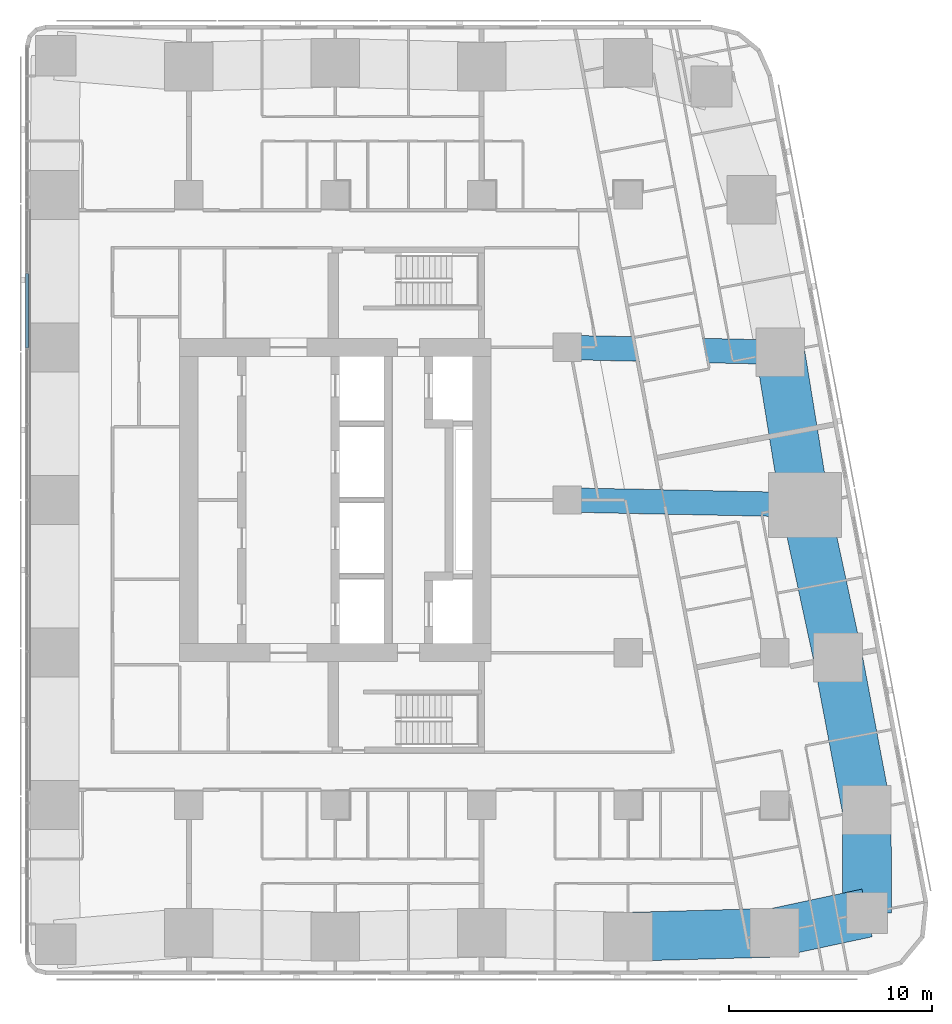
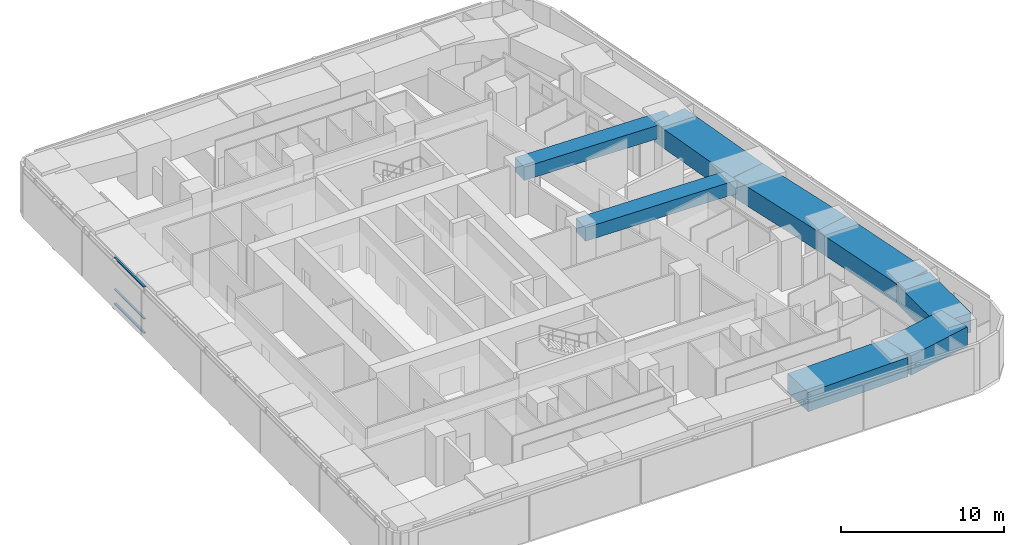
# One storey, part 4 of 19: 8 beams, 3 members, 1 element without a shape of its own.
"""IFC4 building model written with IfcOpenShell, lengths in metres."""

from ifc_helpers import new_model, si_unit, direction, frame, origin, origin_2d, place, context, subcontext, project, spatial, rectangle, extrude, material, material_profile, profile_set, type_object, element, aggregate, save


model = new_model("IFC4")

# Units and contexts
model_context = context("Model", 3, precision=1e-05, world=origin(), true_north=direction((0.0, 1.0)))
body_context = subcontext(model_context, "Body", "Model", "MODEL_VIEW")
ifc_project = project(units=[si_unit("LENGTHUNIT", "METRE"), si_unit("AREAUNIT", "SQUARE_METRE"), si_unit("VOLUMEUNIT", "CUBIC_METRE"), si_unit("PLANEANGLEUNIT", "RADIAN"), si_unit("MASSUNIT", "GRAM", prefix="KILO")], contexts=[model_context])

# Site, building, storey
site_placement = place(None, origin())
site = spatial("IfcSite", under=ifc_project, at=site_placement, CompositionType="ELEMENT")
building_placement = place(site_placement, origin())
building = spatial("IfcBuilding", under=site, at=building_placement, Name="Sheger Commons Tower", CompositionType="ELEMENT")
storey_placement = place(building_placement, frame((0.0, 0.0, 201.199951171875)))
storey = spatial("IfcBuildingStorey", under=building, at=storey_placement, Name="L51", CompositionType="ELEMENT", Elevation=201.199951171875)

# Beams
ifc_material_1 = material(Name="Concrete C50/60", Category="concrete")
ifc_material_profile_1 = material_profile(ifc_material_1, rectangle(XDim=1.199951171875, YDim=1.0, at=origin_2d()), Name="RC 1200x1000")
ifc_profile_set_1 = profile_set([ifc_material_profile_1], Name="Concrete C50/60")
beam_type_1 = type_object("IfcBeamType", Name="BEAM RC 1200x1000", PredefinedType="BEAM", material=ifc_profile_set_1)
beam_1_placement = place(storey_placement, frame((33.0, 22.5, 3.0), z_axis=(0.999794692776, -0.02026258368, 0.0), x_axis=(0.02026258368, 0.999794692776, 0.0)))
element("IfcBeam", 1, at=beam_1_placement, inside=storey, type_object=beam_type_1, Name="Beam 6-3000/D-7/D under L52", PredefinedType="BEAM", context=body_context, shape_type="SweptSolid", body=[
    extrude(rectangle(XDim=1.199951171875, YDim=1.0, at=origin_2d()), origin(), (0.0, 0.0, 1.0), 11.699462890625),
])
beam_2_placement = place(storey_placement, frame((33.0, 30.0, 3.0), z_axis=(0.999744258625, -0.022614538395, 0.0), x_axis=(0.022614538395, 0.999744258625, 0.0)))
element("IfcBeam", 2, at=beam_2_placement, inside=storey, type_object=beam_type_1, Name="Beam 6-3000/E-E/E under L52", PredefinedType="BEAM", context=body_context, shape_type="SweptSolid", body=[
    extrude(rectangle(XDim=1.199951171875, YDim=1.0, at=origin_2d()), origin(), (0.0, 0.0, 1.0), 10.482666015625),
])
ifc_material_2 = material(Name="Concrete C50/60", Category="concrete")
ifc_material_profile_2 = material_profile(ifc_material_2, rectangle(XDim=2.39990234375, YDim=1.449951171875, at=origin_2d()), Name="RC 2400x1450")
ifc_profile_set_2 = profile_set([ifc_material_profile_2], Name="Concrete C50/60")
beam_type_2 = type_object("IfcBeamType", Name="SPANDREL RC 2400x1450", PredefinedType="SPANDREL", material=ifc_profile_set_2)
beam_3_placement = place(storey_placement, frame((36.0, 1.02490234375, 2.775146484375), z_axis=(0.9996136624, 0.027794350926, 0.0), x_axis=(-0.027794350926, 0.9996136624, 0.0)))
element("IfcBeam", 3, at=beam_3_placement, inside=storey, type_object=beam_type_2, Name="Beam 6/A-7/A under L52", PredefinedType="SPANDREL", context=body_context, shape_type="SweptSolid", body=[
    extrude(rectangle(XDim=2.39990234375, YDim=1.449951171875, at=origin_2d()), origin(), (0.0, 0.0, 1.0), 7.20263671875),
])
beam_4_placement = place(storey_placement, frame((43.199951171875, 1.22509765625, 2.775146484375), z_axis=(0.977919796671, 0.208980552394, 0.0), x_axis=(-0.208980552394, 0.977919796671, 0.0)))
element("IfcBeam", 4, at=beam_4_placement, inside=storey, type_object=beam_type_2, Name="Beam 7/A-49.461,0.778 under L52", PredefinedType="SPANDREL", context=body_context, shape_type="SweptSolid", body=[
    extrude(rectangle(XDim=2.39990234375, YDim=1.449951171875, at=origin_2d()), origin(), (0.0, 0.0, 1.0), 4.65087890625),
])
beam_5_placement = place(storey_placement, frame((47.748046875, 2.197021484375, 2.775146484375), z_axis=(-0.003566242382, 0.999993640937, 0.0), x_axis=(-0.999993640937, -0.003566242382, 0.0)))
element("IfcBeam", 5, at=beam_5_placement, inside=storey, type_object=beam_type_2, Name="Beam 49.461,0.778-E/B under L52", PredefinedType="SPANDREL", context=body_context, shape_type="SweptSolid", body=[
    extrude(rectangle(XDim=2.39990234375, YDim=1.449951171875, at=origin_2d()), origin(), (0.0, 0.0, 1.0), 5.06591796875),
])
beam_6_placement = place(storey_placement, frame((47.72998046875, 7.262939453125, 2.775146484375), z_axis=(-0.18552441405, 0.982639655108, 0.0), x_axis=(-0.982639655108, -0.18552441405, 0.0)))
element("IfcBeam", 6, at=beam_6_placement, inside=storey, type_object=beam_type_2, Name="Beam E/B-E/C under L52", PredefinedType="SPANDREL", context=body_context, shape_type="SweptSolid", body=[
    extrude(rectangle(XDim=2.39990234375, YDim=1.449951171875, at=origin_2d()), origin(), (0.0, 0.0, 1.0), 7.632568359375),
])
beam_7_placement = place(storey_placement, frame((46.31396484375, 14.762939453125, 2.775146484375), z_axis=(-0.210750229323, 0.977539943348, 0.0), x_axis=(-0.977539943348, -0.210750229323, 0.0)))
element("IfcBeam", 7, at=beam_7_placement, inside=storey, type_object=beam_type_2, Name="Beam E/C-E/D under L52", PredefinedType="SPANDREL", context=body_context, shape_type="SweptSolid", body=[
    extrude(rectangle(XDim=2.39990234375, YDim=1.449951171875, at=origin_2d()), origin(), (0.0, 0.0, 1.0), 7.67236328125),
])
beam_8_placement = place(storey_placement, frame((44.697021484375, 22.262939453125, 2.775146484375), z_axis=(-0.160176929512, 0.987088319884, 0.0), x_axis=(-0.987088319884, -0.160176929512, 0.0)))
element("IfcBeam", 8, at=beam_8_placement, inside=storey, type_object=beam_type_2, Name="Beam E/D-E/E under L52", PredefinedType="SPANDREL", context=body_context, shape_type="SweptSolid", body=[
    extrude(rectangle(XDim=2.39990234375, YDim=1.449951171875, at=origin_2d()), origin(), (0.0, 0.0, 1.0), 7.59814453125),
])

# Curtain wall, members
ifc_material_3 = material(Name="Black aluminium curtain wall, dark tinted glazing", Category="aluminium")
curtain_wall_type = type_object("IfcCurtainWallType", Name="CURTAIN WALL CW4 GALLERY", PredefinedType="USERDEFINED", material=ifc_material_3)
curtain_wall_placement = place(storey_placement, origin())
curtain_wall = element("IfcCurtainWall", 9, at=curtain_wall_placement, inside=storey, type_object=curtain_wall_type, Name="Curtain Wall Cw4 Gallery W1 L51", ObjectType="UNITISED CURTAIN WALL", PredefinedType="USERDEFINED")
ifc_material_4 = material(Name="Black anodised aluminium", Category="aluminium")
ifc_material_profile_3 = material_profile(ifc_material_4, rectangle(XDim=0.14990234375, YDim=0.06494140625, at=origin_2d()), Name="AL 65x150")
ifc_profile_set_3 = profile_set([ifc_material_profile_3], Name="Black anodised aluminium")
member_type = type_object("IfcMemberType", Name="TRANSOM AL 65x150", PredefinedType="USERDEFINED", material=ifc_profile_set_3)
member_1_placement = place(storey_placement, frame((6.449951171875, 33.635498046875, 0.032470703125), z_axis=(0.0, -1.0, 0.0), x_axis=(1.0, 0.0, 0.0)))
member_1 = element("IfcMember", 10, at=member_1_placement, type_object=member_type, Name="CW4 transom 8.1", ObjectType="TRANSOM", PredefinedType="USERDEFINED", context=body_context, shape_type="SweptSolid", body=[
    extrude(rectangle(XDim=0.14990234375, YDim=0.06494140625, at=origin_2d()), origin(), (0.0, 0.0, 1.0), 3.656982421875),
])
member_2_placement = place(storey_placement, frame((6.449951171875, 33.635498046875, 1.10009765625), z_axis=(0.0, -1.0, 0.0), x_axis=(1.0, 0.0, 0.0)))
member_2 = element("IfcMember", 11, at=member_2_placement, type_object=member_type, Name="CW4 transom 8.2", ObjectType="TRANSOM", PredefinedType="USERDEFINED", context=body_context, shape_type="SweptSolid", body=[
    extrude(rectangle(XDim=0.14990234375, YDim=0.06494140625, at=origin_2d()), origin(), (0.0, 0.0, 1.0), 3.656982421875),
])
member_3_placement = place(storey_placement, frame((6.449951171875, 33.635498046875, 3.467529296875), z_axis=(0.0, -1.0, 0.0), x_axis=(1.0, 0.0, 0.0)))
member_3 = element("IfcMember", 12, at=member_3_placement, type_object=member_type, Name="CW4 transom 8.3", ObjectType="TRANSOM", PredefinedType="USERDEFINED", context=body_context, shape_type="SweptSolid", body=[
    extrude(rectangle(XDim=0.14990234375, YDim=0.06494140625, at=origin_2d()), origin(), (0.0, 0.0, 1.0), 3.656982421875),
])
aggregate(curtain_wall, [member_1, member_2, member_3])

save(model, "model.ifc")
